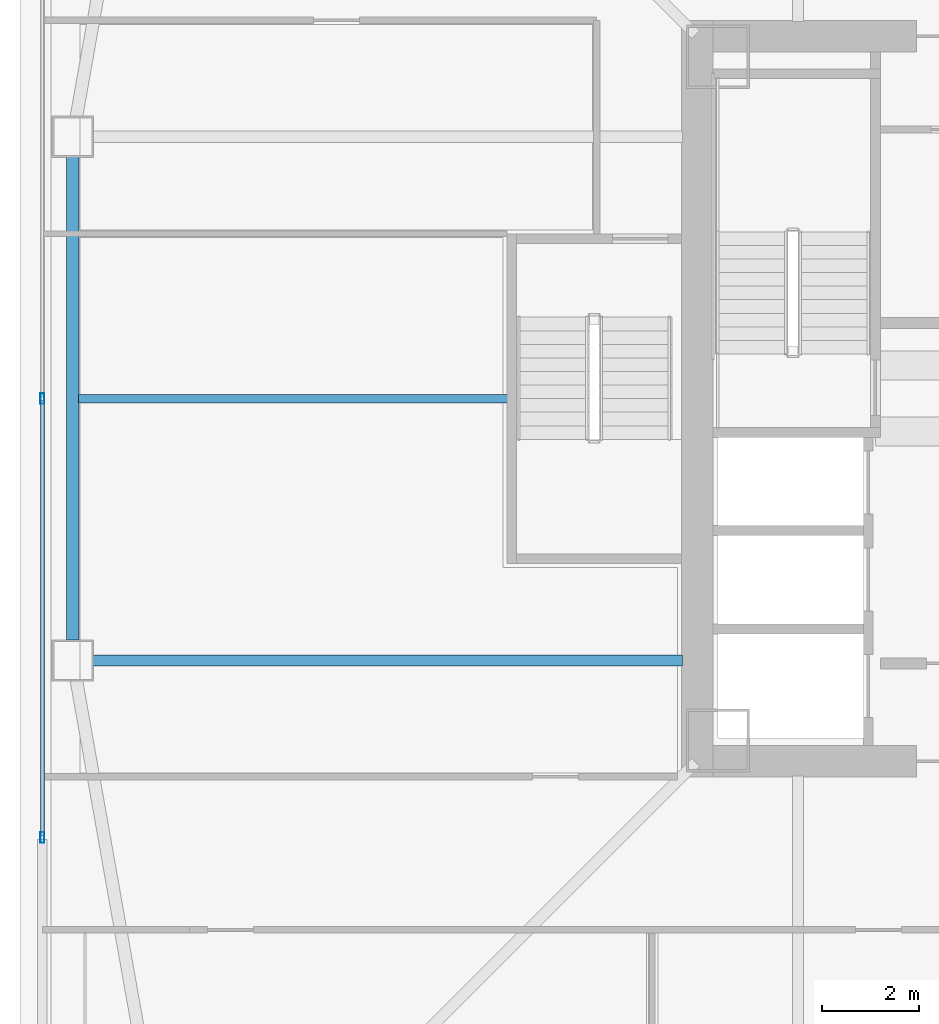
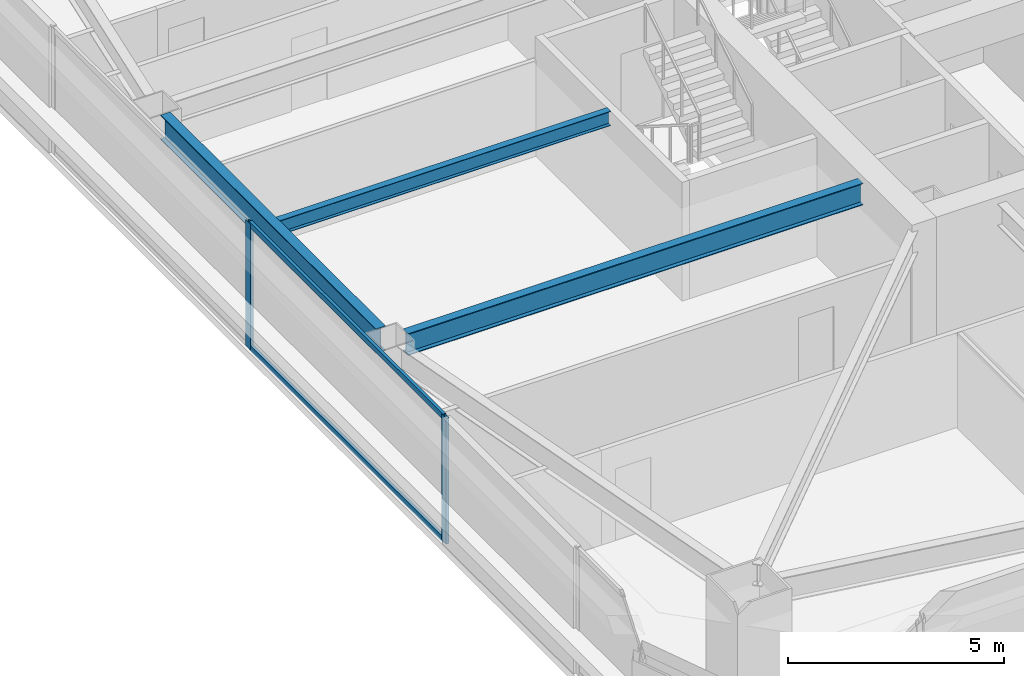
# One storey, part 6 of 48: 4 members, 3 beams, 1 element without a shape of its own.
"""IFC4 building model written with IfcOpenShell, lengths in metres."""

from ifc_helpers import new_model, si_unit, direction, frame, origin, origin_2d, place, context, subcontext, project, spatial, hollow_rectangle, i_section, extrude, material, material_profile, profile_set, type_object, element, aggregate, save


model = new_model("IFC4")

# Units and contexts
model_context = context("Model", 3, precision=1e-05, world=origin(), true_north=direction((0.0, 1.0)))
body_context = subcontext(model_context, "Body", "Model", "MODEL_VIEW")
ifc_project = project(units=[si_unit("LENGTHUNIT", "METRE"), si_unit("AREAUNIT", "SQUARE_METRE"), si_unit("VOLUMEUNIT", "CUBIC_METRE"), si_unit("PLANEANGLEUNIT", "RADIAN"), si_unit("MASSUNIT", "GRAM", prefix="KILO")], contexts=[model_context])

# Site, building, storey
site_placement = place(None, origin())
site = spatial("IfcSite", under=ifc_project, at=site_placement, CompositionType="ELEMENT")
building_placement = place(site_placement, origin())
building = spatial("IfcBuilding", under=site, at=building_placement, Name="Tashvorn Skyway Center", CompositionType="ELEMENT")
storey_placement = place(building_placement, frame((0.0, 0.0, 77.85009765625)))
storey = spatial("IfcBuildingStorey", under=building, at=storey_placement, Name="L20", CompositionType="ELEMENT", Elevation=77.85009765625)

# Beams
ifc_material_1 = material(Name="Steel ASTM A992 Grade 50", Category="steel")
ifc_material_profile_1 = material_profile(ifc_material_1, i_section(OverallWidth=0.22998046875, OverallDepth=0.616943359375, WebThickness=0.01318359375, FlangeThickness=0.022216796875, at=origin_2d()), Name="W24X94")
ifc_profile_set_1 = profile_set([ifc_material_profile_1], Name="Steel ASTM A992 Grade 50")
beam_type_1 = type_object("IfcBeamType", Name="BM-BEAM-W24X94", PredefinedType="BEAM", material=ifc_profile_set_1)
beam_1_placement = place(storey_placement, frame((22.070068359375, 26.60009765625, 3.04150390625), z_axis=(1.0, 0.0, 0.0), x_axis=(0.0, 1.0, 0.0)))
element("IfcBeam", 1, at=beam_1_placement, inside=storey, type_object=beam_type_1, Name="Tower 1 L20 Primary Floor Girder FC-W2", PredefinedType="BEAM", context=body_context, shape_type="SweptSolid", body=[
    extrude(i_section(OverallWidth=0.22998046875, OverallDepth=0.616943359375, WebThickness=0.01318359375, FlangeThickness=0.022216796875, at=origin_2d()), origin(), (0.0, 0.0, 1.0), 12.14990234375),
])
ifc_material_profile_2 = material_profile(ifc_material_1, i_section(OverallWidth=0.177978515625, OverallDepth=0.406005859375, WebThickness=0.0078125, FlangeThickness=0.0126953125, at=origin_2d()), Name="W16X40")
ifc_profile_set_2 = profile_set([ifc_material_profile_2], Name="Steel ASTM A992 Grade 50")
beam_type_2 = type_object("IfcBeamType", Name="BM-JOIST-W16X40", PredefinedType="JOIST", material=ifc_profile_set_2)
beam_2_placement = place(storey_placement, frame((30.610107421875, 32.0, 3.14697265625), z_axis=(-1.0, 0.0, 0.0), x_axis=(0.0, -1.0, 0.0)))
element("IfcBeam", 2, at=beam_2_placement, inside=storey, type_object=beam_type_2, Name="Tower 1 L20 Secondary Composite Joist JW", PredefinedType="JOIST", context=body_context, shape_type="SweptSolid", body=[
    extrude(i_section(OverallWidth=0.177978515625, OverallDepth=0.406005859375, WebThickness=0.0078125, FlangeThickness=0.0126953125, at=origin_2d()), origin(), (0.0, 0.0, 1.0), 8.840087890625),
])
ifc_material_profile_3 = material_profile(ifc_material_1, i_section(OverallWidth=0.256103515625, OverallDepth=0.693115234375, WebThickness=0.014404296875, FlangeThickness=0.023681640625, at=origin_2d()), Name="W27X114")
ifc_profile_set_3 = profile_set([ifc_material_profile_3], Name="Steel ASTM A992 Grade 50")
beam_type_3 = type_object("IfcBeamType", Name="BM-SPANDREL-W27X114", PredefinedType="SPANDREL", material=ifc_profile_set_3)
beam_3_placement = place(storey_placement, frame((21.64990234375, 36.97998046875, 3.00341796875), z_axis=(0.0, -1.0, 0.0), x_axis=(1.0, 0.0, 0.0)))
element("IfcBeam", 3, at=beam_3_placement, inside=storey, type_object=beam_type_3, Name="Tower 1 L20 Spandrel Beam 11", PredefinedType="SPANDREL", context=body_context, shape_type="SweptSolid", body=[
    extrude(i_section(OverallWidth=0.256103515625, OverallDepth=0.693115234375, WebThickness=0.014404296875, FlangeThickness=0.023681640625, at=origin_2d()), origin(), (0.0, 0.0, 1.0), 9.9599609375),
])

# Curtain wall, members
ifc_material_2 = material(Name="Thermally broken bronze-anodized aluminium 6063-T6", Category="aluminium")
curtain_wall_type = type_object("IfcCurtainWallType", Name="CW-CW-Z2", PredefinedType="NOTDEFINED", material=ifc_material_2)
curtain_wall_placement = place(storey_placement, origin())
curtain_wall = element("IfcCurtainWall", 4, at=curtain_wall_placement, inside=storey, type_object=curtain_wall_type, Name="Tower 1 L20 West Unitised Curtain Wall Glazing Group 2", PredefinedType="NOTDEFINED")
ifc_material_profile_4 = material_profile(ifc_material_2, hollow_rectangle(XDim=0.080078125, YDim=0.219970703125, WallThickness=0.0048828125, at=origin_2d()), Name="ALU-MULL-80x220")
ifc_profile_set_4 = profile_set([ifc_material_profile_4], Name="Thermally broken bronze-anodized aluminium 6063-T6")
member_type_1 = type_object("IfcMemberType", Name="CWM-CW-Z2", PredefinedType="MULLION", material=ifc_profile_set_4)
member_1_placement = place(storey_placement, frame((21.02001953125, 22.949951171875, 0.0), z_axis=(0.0, 0.0, 1.0), x_axis=(-1.0, 0.0, 0.0)))
member_1 = element("IfcMember", 5, at=member_1_placement, type_object=member_type_1, Name="CW-Z2 mullion 1", PredefinedType="MULLION", context=body_context, shape_type="SweptSolid", body=[
    extrude(hollow_rectangle(XDim=0.080078125, YDim=0.219970703125, WallThickness=0.0048828125, at=origin_2d()), origin(), (0.0, 0.0, 1.0), 3.5498046875),
])
member_2_placement = place(storey_placement, frame((21.02001953125, 32.0, 0.0), z_axis=(0.0, 0.0, 1.0), x_axis=(-1.0, 0.0, 0.0)))
member_2 = element("IfcMember", 6, at=member_2_placement, type_object=member_type_1, Name="CW-Z2 mullion 2", PredefinedType="MULLION", context=body_context, shape_type="SweptSolid", body=[
    extrude(hollow_rectangle(XDim=0.080078125, YDim=0.219970703125, WallThickness=0.0048828125, at=origin_2d()), origin(), (0.0, 0.0, 1.0), 3.5498046875),
])
ifc_material_profile_5 = material_profile(ifc_material_2, hollow_rectangle(XDim=0.080078125, YDim=0.14990234375, WallThickness=0.00439453125, at=origin_2d()), Name="ALU-TRAN-80x150")
ifc_profile_set_5 = profile_set([ifc_material_profile_5], Name="Thermally broken bronze-anodized aluminium 6063-T6")
member_type_2 = type_object("IfcMemberType", Name="CWT-CW-Z2", PredefinedType="USERDEFINED", material=ifc_profile_set_5)
member_3_placement = place(storey_placement, frame((21.02001953125, 22.989990234375, 0.039794921875), z_axis=(0.0, 1.0, 0.0), x_axis=(-1.0, 0.0, 0.0)))
member_3 = element("IfcMember", 7, at=member_3_placement, type_object=member_type_2, Name="CW-Z2 transom 1.1", ObjectType="TRANSOM", PredefinedType="USERDEFINED", context=body_context, shape_type="SweptSolid", body=[
    extrude(hollow_rectangle(XDim=0.080078125, YDim=0.14990234375, WallThickness=0.00439453125, at=origin_2d()), origin(), (0.0, 0.0, 1.0), 8.969970703125),
])
member_4_placement = place(storey_placement, frame((21.02001953125, 22.989990234375, 3.510009765625), z_axis=(0.0, 1.0, 0.0), x_axis=(-1.0, 0.0, 0.0)))
member_4 = element("IfcMember", 8, at=member_4_placement, type_object=member_type_2, Name="CW-Z2 transom 1.2", ObjectType="TRANSOM", PredefinedType="USERDEFINED", context=body_context, shape_type="SweptSolid", body=[
    extrude(hollow_rectangle(XDim=0.080078125, YDim=0.14990234375, WallThickness=0.00439453125, at=origin_2d()), origin(), (0.0, 0.0, 1.0), 8.969970703125),
])
aggregate(curtain_wall, [member_1, member_2, member_3, member_4])

save(model, "model.ifc")
